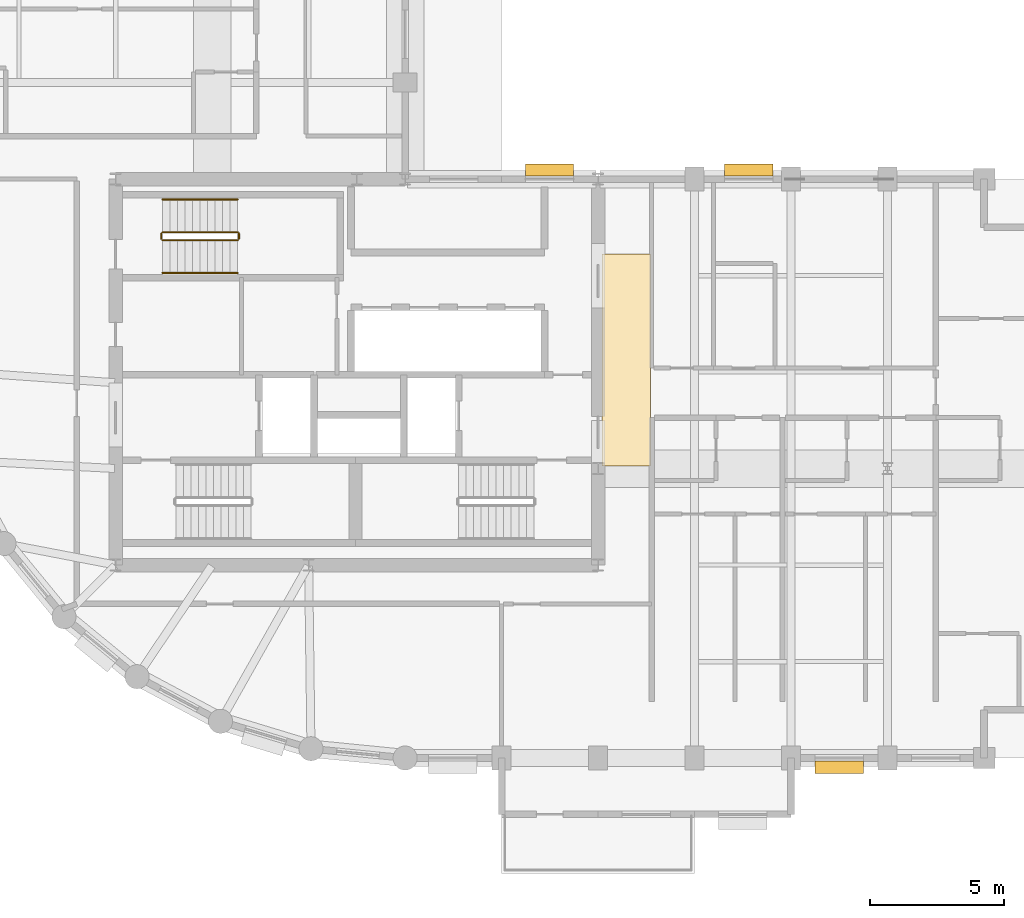
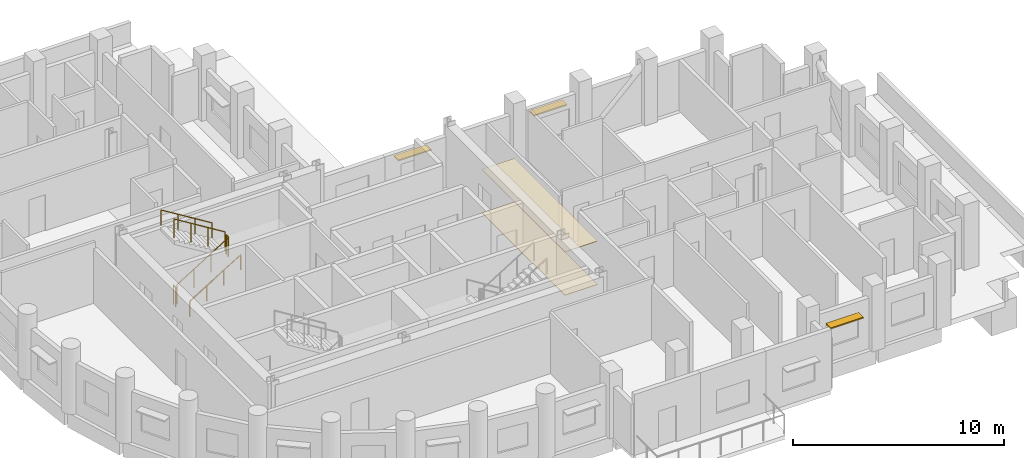
# One storey, part 9 of 10: 6 railings, 3 shading devices, 2 coverings.
"""IFC4 building model written with IfcOpenShell, lengths in metres."""

from ifc_helpers import new_model, si_unit, direction, frame, origin, origin_2d, place, context, subcontext, project, spatial, polyline, rectangle, circle, outline, extrude, material, layer, layer_set, type_object, element, save


model = new_model("IFC4")

# Units and contexts
model_context = context("Model", 3, precision=1e-05, world=origin(), true_north=direction((0.0, 1.0)))
body_context = subcontext(model_context, "Body", "Model", "MODEL_VIEW")
ifc_project = project(units=[si_unit("LENGTHUNIT", "METRE"), si_unit("AREAUNIT", "SQUARE_METRE"), si_unit("VOLUMEUNIT", "CUBIC_METRE"), si_unit("PLANEANGLEUNIT", "RADIAN"), si_unit("MASSUNIT", "GRAM", prefix="KILO")], contexts=[model_context])

# Site, building, storey
site_placement = place(None, origin())
site = spatial("IfcSite", under=ifc_project, at=site_placement, CompositionType="ELEMENT")
building_placement = place(site_placement, origin())
building = spatial("IfcBuilding", under=site, at=building_placement, Name="Solnavia Interchange Tower", CompositionType="ELEMENT")
storey_placement = place(building_placement, frame((0.0, 0.0, 174.800048828125)))
storey = spatial("IfcBuildingStorey", under=building, at=storey_placement, Name="L43", CompositionType="ELEMENT", Elevation=174.800048828125)

# Coverings
ifc_material_1 = material(Name="Perforated Mineral-Fibre & Gypsum Ceiling", Category="gypsum")
ifc_layer_1 = layer(ifc_material_1, 0.0400390625)
ifc_layer_set_1 = layer_set([ifc_layer_1], Name="Perforated Mineral-Fibre & Gypsum Ceiling")
covering_type_1 = type_object("IfcCoveringType", Name="Covering-Ceiling-Acoustic40", PredefinedType="CEILING", material=ifc_layer_set_1)
covering_1_placement = place(storey_placement, frame((0.0, 0.0, 2.5)))
element("IfcCovering", 1, at=covering_1_placement, inside=storey, type_object=covering_type_1, Name="CLG-L43-01 Circulation suspended acoustic ceiling", PredefinedType="CEILING", context=body_context, shape_type="SweptSolid", body=[
    extrude(outline(polyline([(32.550048828125, 14.5), (34.35009765625, 14.5), (34.35009765625, 22.39990234375), (32.550048828125, 22.39990234375), (32.550048828125, 14.5)])), origin(), (0.0, 0.0, 1.0), 0.0400390625),
])
ifc_material_2 = material(Name="Engineered European Oak Flooring", Category="wood")
ifc_layer_2 = layer(ifc_material_2, 0.02001953125)
ifc_layer_set_2 = layer_set([ifc_layer_2], Name="Engineered European Oak Flooring")
covering_type_2 = type_object("IfcCoveringType", Name="Covering-Flooring-Timber20", PredefinedType="FLOORING", material=ifc_layer_set_2)
covering_2_placement = place(storey_placement, origin())
element("IfcCovering", 2, at=covering_2_placement, inside=storey, type_object=covering_type_2, Name="FLR-L43-01 Circulation floor finish", PredefinedType="FLOORING", context=body_context, shape_type="SweptSolid", body=[
    extrude(outline(polyline([(32.550048828125, 14.5), (34.35009765625, 14.5), (34.35009765625, 22.39990234375), (32.550048828125, 22.39990234375), (32.550048828125, 14.5)])), origin(), (0.0, 0.0, 1.0), 0.02001953125),
])

# Railings
ifc_material_3 = material(Name="Painted Steel Balustrade", Category="steel")
railing_type_1 = type_object("IfcRailingType", Name="Railing-StairGuard-1100", PredefinedType="GUARDRAIL", material=ifc_material_3)
railing_1_placement = place(storey_placement, frame((16.14990234375, 22.919921875, 0.172607421875)))
element("IfcRailing", 3, at=railing_1_placement, inside=storey, type_object=railing_type_1, Name="L43 ST-3 stair guard 1", PredefinedType="GUARDRAIL", context=body_context, shape_type="SweptSolid", body=[
    extrude(circle(Radius=0.02392578125, at=origin_2d()), frame((0.0, 0.0, 1.09619140625), z_axis=(0.851089632645, 0.0, 0.525020415988), x_axis=(0.0, 1.0, 0.0)), (0.0, 0.0, 1.0), 3.2900390625),
    extrude(circle(Radius=0.02099609375, at=origin_2d()), origin(), (0.0, 0.0, 1.0), 1.072021484375),
    extrude(circle(Radius=0.02099609375, at=origin_2d()), frame((0.933349609375, 0.0, 0.57568359375)), (0.0, 0.0, 1.0), 1.072021484375),
    extrude(circle(Radius=0.02099609375, at=origin_2d()), frame((1.86669921875, 0.0, 1.151611328125)), (0.0, 0.0, 1.0), 1.072021484375),
    extrude(circle(Radius=0.02099609375, at=origin_2d()), frame((2.800048828125, 0.0, 1.727294921875)), (0.0, 0.0, 1.0), 1.072021484375),
])
railing_2_placement = place(storey_placement, frame((19.0, 22.969970703125, 1.89990234375)))
element("IfcRailing", 4, at=railing_2_placement, inside=storey, type_object=railing_type_1, Name="L43 ST-3 stair guard 2", PredefinedType="GUARDRAIL", context=body_context, shape_type="SweptSolid", body=[
    extrude(circle(Radius=0.02392578125, at=origin_2d()), frame((0.0, 0.0, 1.09619140625), z_axis=(0.0, 1.0, 0.0), x_axis=(-1.0, 0.0, 0.0)), (0.0, 0.0, 1.0), 0.199951171875),
    extrude(circle(Radius=0.02099609375, at=origin_2d()), origin(), (0.0, 0.0, 1.0), 1.072021484375),
    extrude(circle(Radius=0.02099609375, at=origin_2d()), frame((0.0, 0.199951171875, 0.0)), (0.0, 0.0, 1.0), 1.072021484375),
])
railing_3_placement = place(storey_placement, frame((18.949951171875, 23.219970703125, 2.07275390625)))
element("IfcRailing", 5, at=railing_3_placement, inside=storey, type_object=railing_type_1, Name="L43 ST-3 stair guard 3", PredefinedType="GUARDRAIL", context=body_context, shape_type="SweptSolid", body=[
    extrude(circle(Radius=0.02392578125, at=origin_2d()), frame((0.0, 0.0, 1.09619140625), z_axis=(-0.851089632645, 0.0, 0.525020415988), x_axis=(0.0, -1.0, 0.0)), (0.0, 0.0, 1.0), 3.2900390625),
    extrude(circle(Radius=0.02099609375, at=origin_2d()), origin(), (0.0, 0.0, 1.0), 1.072021484375),
    extrude(circle(Radius=0.02099609375, at=origin_2d()), frame((-0.933349609375, 0.0, 0.57568359375)), (0.0, 0.0, 1.0), 1.072021484375),
    extrude(circle(Radius=0.02099609375, at=origin_2d()), frame((-1.86669921875, 0.0, 1.151611328125)), (0.0, 0.0, 1.0), 1.072021484375),
    extrude(circle(Radius=0.02099609375, at=origin_2d()), frame((-2.800048828125, 0.0, 1.727294921875)), (0.0, 0.0, 1.0), 1.072021484375),
])
railing_4_placement = place(storey_placement, frame((16.10009765625, 22.969970703125, 0.0)))
element("IfcRailing", 6, at=railing_4_placement, inside=storey, type_object=railing_type_1, Name="L43 ST-3 stair guard 4", PredefinedType="GUARDRAIL", context=body_context, shape_type="SweptSolid", body=[
    extrude(circle(Radius=0.02392578125, at=origin_2d()), frame((0.0, 0.0, 1.09619140625), z_axis=(0.0, 1.0, 0.0), x_axis=(-1.0, 0.0, 0.0)), (0.0, 0.0, 1.0), 0.199951171875),
    extrude(circle(Radius=0.02099609375, at=origin_2d()), origin(), (0.0, 0.0, 1.0), 1.072021484375),
    extrude(circle(Radius=0.02099609375, at=origin_2d()), frame((0.0, 0.199951171875, 0.0)), (0.0, 0.0, 1.0), 1.072021484375),
])
ifc_material_4 = material(Name="Brushed Stainless Steel", Category="steel")
railing_type_2 = type_object("IfcRailingType", Name="Railing-StairHandrail-900", PredefinedType="HANDRAIL", material=ifc_material_4)
railing_5_placement = place(storey_placement, frame((16.14990234375, 21.699951171875, 0.172607421875)))
element("IfcRailing", 7, at=railing_5_placement, inside=storey, type_object=railing_type_2, Name="L43 ST-3 stair handrail 1", PredefinedType="HANDRAIL", context=body_context, shape_type="SweptSolid", body=[
    extrude(circle(Radius=0.02392578125, at=origin_2d()), frame((0.0, 0.0, 0.8759765625), z_axis=(0.851089632645, 0.0, 0.525020415988), x_axis=(0.0, 1.0, 0.0)), (0.0, 0.0, 1.0), 3.2900390625),
    extrude(circle(Radius=0.02099609375, at=origin_2d()), origin(), (0.0, 0.0, 1.0), 0.851806640625),
    extrude(circle(Radius=0.02099609375, at=origin_2d()), frame((0.933349609375, 0.0, 0.57568359375)), (0.0, 0.0, 1.0), 0.851806640625),
    extrude(circle(Radius=0.02099609375, at=origin_2d()), frame((1.86669921875, 0.0, 1.151611328125)), (0.0, 0.0, 1.0), 0.851806640625),
    extrude(circle(Radius=0.02099609375, at=origin_2d()), frame((2.800048828125, 0.0, 1.727294921875)), (0.0, 0.0, 1.0), 0.851806640625),
])
railing_6_placement = place(storey_placement, frame((18.949951171875, 24.43994140625, 2.07275390625)))
element("IfcRailing", 8, at=railing_6_placement, inside=storey, type_object=railing_type_2, Name="L43 ST-3 stair handrail 2", PredefinedType="HANDRAIL", context=body_context, shape_type="SweptSolid", body=[
    extrude(circle(Radius=0.02392578125, at=origin_2d()), frame((0.0, 0.0, 0.8759765625), z_axis=(-0.851089632645, 0.0, 0.525020415988), x_axis=(0.0, -1.0, 0.0)), (0.0, 0.0, 1.0), 3.2900390625),
    extrude(circle(Radius=0.02099609375, at=origin_2d()), origin(), (0.0, 0.0, 1.0), 0.851806640625),
    extrude(circle(Radius=0.02099609375, at=origin_2d()), frame((-0.933349609375, 0.0, 0.57568359375)), (0.0, 0.0, 1.0), 0.851806640625),
    extrude(circle(Radius=0.02099609375, at=origin_2d()), frame((-1.86669921875, 0.0, 1.151611328125)), (0.0, 0.0, 1.0), 0.851806640625),
    extrude(circle(Radius=0.02099609375, at=origin_2d()), frame((-2.800048828125, 0.0, 1.727294921875)), (0.0, 0.0, 1.0), 0.851806640625),
])

# Shading devices
ifc_material_5 = material(Name="Anodised Aluminium Sunshade", Category="aluminium")
ifc_layer_3 = layer(ifc_material_5, 0.070068359375)
ifc_layer_set_3 = layer_set([ifc_layer_3], Name="Anodised Aluminium Sunshade")
shading_device_type = type_object("IfcShadingDeviceType", Name="Sunshade-Band-450", PredefinedType="JALOUSIE", material=ifc_layer_set_3)
for number, where, z_axis, x_axis, name in (
    (9, (41.39990234375, 3.2548828125, 2.22509765625), (0.0, 0.0, 1.0), (-1.0, 0.0, 0.0), "SHD-L43-07 Horizontal sunshade band"),
    (10, (38.02001953125, 25.544921875, 2.22509765625), (0.0, 0.0, 1.0), (1.0, 0.0, 0.0), "SHD-L43-23 Horizontal sunshade band"),
    (11, (30.583984375, 25.544921875, 2.22509765625), (0.0, 0.0, 1.0), (1.0, 0.0, 0.0), "SHD-L43-25 Horizontal sunshade band"),
):
    element("IfcShadingDevice", number, at=place(storey_placement, frame(where, z_axis=z_axis, x_axis=x_axis)), inside=storey, type_object=shading_device_type, Name=name, PredefinedType="JALOUSIE", context=body_context, shape_type="SweptSolid", body=[
        extrude(rectangle(XDim=1.800048828125, YDim=0.449951171875, at=origin_2d()), origin(), (0.0, 0.0, 1.0), 0.070068359375),
    ])

save(model, "model.ifc")
